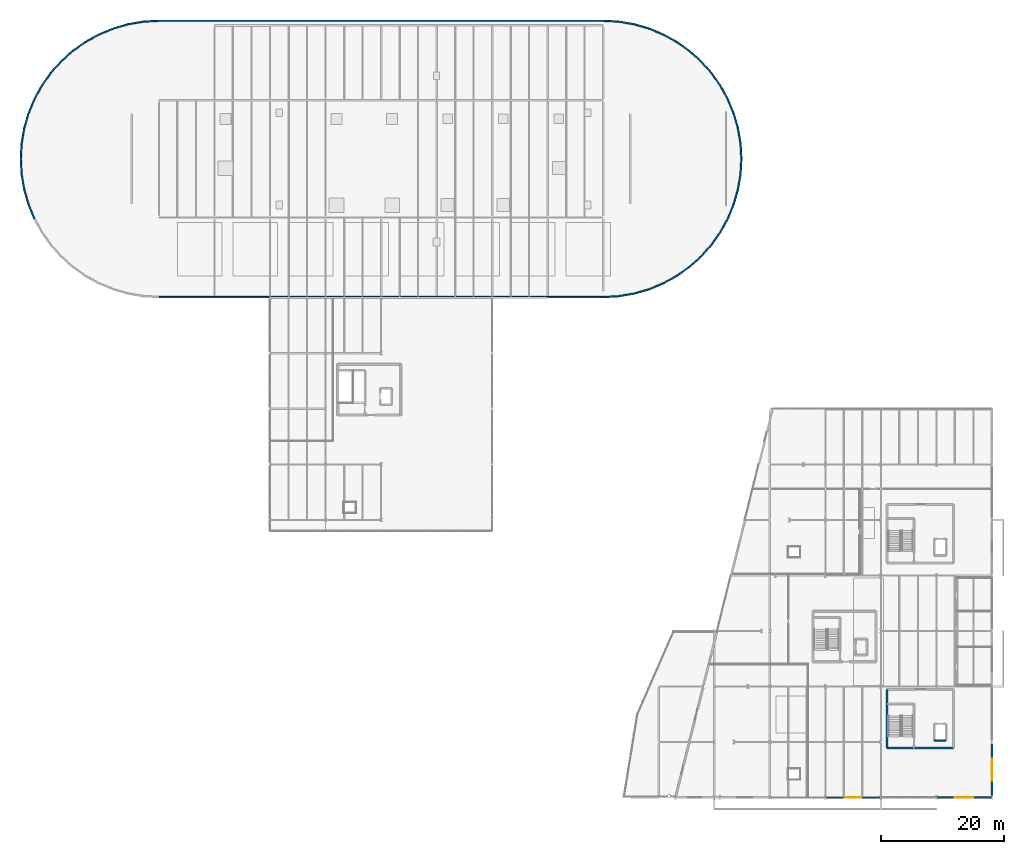
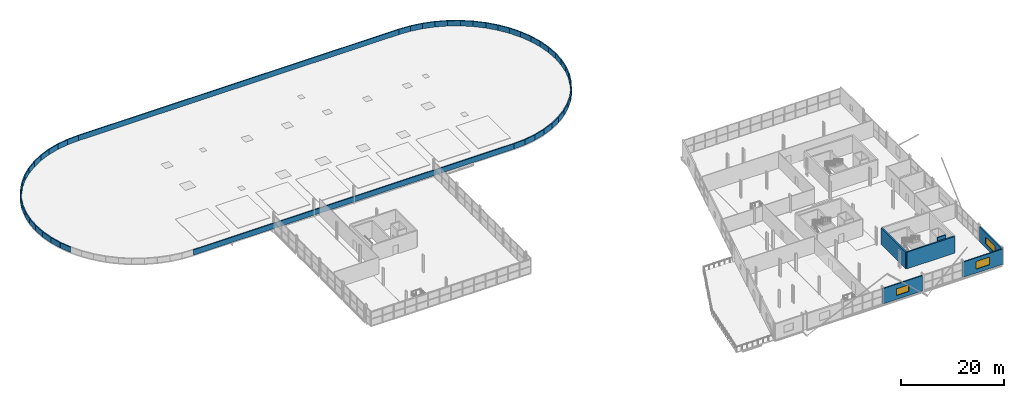
# One storey, part 55 of 59: 54 walls, 3 windows, 3 openings.
"""IFC4 building model written with IfcOpenShell, lengths in metres."""

from ifc_helpers import new_model, si_unit, direction, frame, frame_2d, origin, place, context, subcontext, project, spatial, rectangle, extrude, material, layer, layer_set, type_object, element, fill, save


model = new_model("IFC4")

# Units and contexts
model_context = context("Model", 3, precision=1e-05, world=origin(), true_north=direction((0.0, 1.0)))
body_context = subcontext(model_context, "Body", "Model", "MODEL_VIEW")
ifc_project = project(units=[si_unit("LENGTHUNIT", "METRE"), si_unit("AREAUNIT", "SQUARE_METRE"), si_unit("VOLUMEUNIT", "CUBIC_METRE"), si_unit("PLANEANGLEUNIT", "RADIAN"), si_unit("MASSUNIT", "GRAM", prefix="KILO")], contexts=[model_context])

# Site, building, storey
site_placement = place(None, origin())
site = spatial("IfcSite", under=ifc_project, at=site_placement, CompositionType="ELEMENT")
building_placement = place(site_placement, origin())
building = spatial("IfcBuilding", under=site, at=building_placement, Name="Deido Ridge Mobility Hub", CompositionType="ELEMENT")
storey_placement = place(building_placement, frame((0.0, 0.0, 21.0)))
storey = spatial("IfcBuildingStorey", under=building, at=storey_placement, Name="L05", CompositionType="ELEMENT", Elevation=21.0)

# Wall, opening, window
ifc_material_1 = material(Name="Powder-coated aluminium cladding EN AW-3003", Category="aluminium")
ifc_layer_1 = layer(ifc_material_1, 0.22509765625, Name="Powder-coated aluminium cladding EN AW-3003")
ifc_layer_set_1 = layer_set([ifc_layer_1], Name="Powder-coated aluminium cladding EN AW-3003")
wall_type_1 = type_object("IfcWallType", Name="WL-EXT-ALU-225", PredefinedType="STANDARD", material=ifc_layer_set_1)
wall_1_placement = place(storey_placement, frame((171.0078125, 0.0, 0.0), z_axis=(0.0, 0.0, 1.0), x_axis=(1.0, 0.0, 0.0)))
wall_1 = element("IfcWall", 1, at=wall_1_placement, inside=storey, type_object=wall_type_1, Name="Exterior wall EW6", PredefinedType="STANDARD", context=body_context, shape_type="SweptSolid", body=[
    extrude(rectangle(XDim=8.984375, YDim=0.22509765625, at=frame_2d((4.4921875, 0.0))), origin(), (0.0, 0.0, 1.0), 3.635009765625),
])
opening_1_placement = place(wall_1_placement, frame((2.9921875, 0.0, 0.949951171875)))
opening_1 = element("IfcOpeningElement", 2, at=opening_1_placement, cuts=wall_1, Name="Opening W15", PredefinedType="OPENING", context=body_context, shape_type="SweptSolid", body=[
    extrude(rectangle(XDim=3.0, YDim=1.800048828125, at=frame_2d((1.5, 0.89990234375))), frame((0.0, 0.12255859375, 0.0), z_axis=(0.0, -1.0, 0.0), x_axis=(1.0, 0.0, 0.0)), (0.0, 0.0, 1.0), 0.2451171875),
])
ifc_material_2 = material(Name="Laminated solar-control low-E glass", Category="glass")
window_type_1 = type_object("IfcWindowType", Name="WN-ALU-3000X1800", PartitioningType="DOUBLE_PANEL_VERTICAL", PredefinedType="WINDOW", material=ifc_material_2)
window_1_placement = place(opening_1_placement, origin())
window_1 = element("IfcWindow", 3, at=window_1_placement, inside=storey, type_object=window_type_1, Name="Exterior window W15", OverallHeight=1.800048828125, OverallWidth=3.0, PartitioningType="SINGLE_PANEL", PredefinedType="WINDOW", context=body_context, shape_type="SweptSolid", body=[
    extrude(rectangle(XDim=3.0, YDim=1.800048828125, at=frame_2d((1.5, 0.89990234375))), frame((0.0, 0.030029296875, 0.0), z_axis=(0.0, -1.0, 0.0), x_axis=(1.0, 0.0, 0.0)), (0.0, 0.0, 1.0), 0.06005859375),
])
fill(opening_1, window_1)

ifc_material_3 = material(Name="Concrete blockwork masonry", Category="masonry")
ifc_layer_2 = layer(ifc_material_3, 0.264892578125, Name="Concrete blockwork masonry")
ifc_layer_set_2 = layer_set([ifc_layer_2], Name="Concrete blockwork masonry")
wall_type_2 = type_object("IfcWallType", Name="WL-EXT-BLK-265", PredefinedType="STANDARD", material=ifc_layer_set_2)
wall_2_placement = place(storey_placement, frame((153.0078125, 0.0, 0.0), z_axis=(0.0, 0.0, 1.0), x_axis=(1.0, 0.0, 0.0)))
wall_2 = element("IfcWall", 4, at=wall_2_placement, inside=storey, type_object=wall_type_2, Name="Exterior wall EW3", PredefinedType="STANDARD", context=body_context, shape_type="SweptSolid", body=[
    extrude(rectangle(XDim=8.984375, YDim=0.264892578125, at=frame_2d((4.4921875, 0.0))), origin(), (0.0, 0.0, 1.0), 3.635009765625),
])
opening_2_placement = place(wall_2_placement, frame((3.142333984375, 0.0, 0.949951171875)))
opening_2 = element("IfcOpeningElement", 5, at=opening_2_placement, cuts=wall_2, Name="Opening W13", PredefinedType="OPENING", context=body_context, shape_type="SweptSolid", body=[
    extrude(rectangle(XDim=2.699951171875, YDim=1.60009765625, at=frame_2d((1.35009765625, 0.800048828125))), frame((0.0, 0.142578125, 0.0), z_axis=(0.0, -1.0, 0.0), x_axis=(1.0, 0.0, 0.0)), (0.0, 0.0, 1.0), 0.284912109375),
])
window_type_2 = type_object("IfcWindowType", Name="WN-ALU-2700X1600", PartitioningType="DOUBLE_PANEL_VERTICAL", PredefinedType="WINDOW", material=ifc_material_2)
window_2_placement = place(opening_2_placement, origin())
window_2 = element("IfcWindow", 6, at=window_2_placement, inside=storey, type_object=window_type_2, Name="Exterior window W13", OverallHeight=1.60009765625, OverallWidth=2.699951171875, PartitioningType="SINGLE_PANEL", PredefinedType="WINDOW", context=body_context, shape_type="SweptSolid", body=[
    extrude(rectangle(XDim=2.699951171875, YDim=1.60009765625, at=frame_2d((1.35009765625, 0.800048828125))), frame((0.0, 0.030029296875, 0.0), z_axis=(0.0, -1.0, 0.0), x_axis=(1.0, 0.0, 0.0)), (0.0, 0.0, 1.0), 0.06005859375),
])
fill(opening_2, window_2)

ifc_material_4 = material(Name="Fired clay brick masonry", Category="masonry")
ifc_layer_3 = layer(ifc_material_4, 0.31005859375, Name="Fired clay brick masonry")
ifc_layer_set_3 = layer_set([ifc_layer_3], Name="Fired clay brick masonry")
wall_type_3 = type_object("IfcWallType", Name="WL-EXT-BRK-310", PredefinedType="STANDARD", material=ifc_layer_set_3)
wall_3_placement = place(storey_placement, frame((180.0, 0.300048828125, 0.0), z_axis=(0.0, 0.0, 1.0), x_axis=(0.0, 1.0, 0.0)))
wall_3 = element("IfcWall", 7, at=wall_3_placement, inside=storey, type_object=wall_type_3, Name="Exterior wall EW1", PredefinedType="STANDARD", context=body_context, shape_type="SweptSolid", body=[
    extrude(rectangle(XDim=8.39990234375, YDim=0.31005859375, at=frame_2d((4.199951171875, 0.0))), origin(), (0.0, 0.0, 1.0), 3.635009765625),
])
opening_3_placement = place(wall_3_placement, frame((2.39990234375, 0.0, 0.949951171875)))
opening_3 = element("IfcOpeningElement", 8, at=opening_3_placement, cuts=wall_3, Name="Opening W18", PredefinedType="OPENING", context=body_context, shape_type="SweptSolid", body=[
    extrude(rectangle(XDim=3.60009765625, YDim=1.64990234375, at=frame_2d((1.800048828125, 0.824951171875))), frame((0.0, 0.1650390625, 0.0), z_axis=(0.0, -1.0, 0.0), x_axis=(1.0, 0.0, 0.0)), (0.0, 0.0, 1.0), 0.330078125),
])
window_type_3 = type_object("IfcWindowType", Name="WN-ALU-3600X1650", PartitioningType="DOUBLE_PANEL_VERTICAL", PredefinedType="WINDOW", material=ifc_material_2)
window_3_placement = place(opening_3_placement, origin())
window_3 = element("IfcWindow", 9, at=window_3_placement, inside=storey, type_object=window_type_3, Name="Exterior window W18", OverallHeight=1.64990234375, OverallWidth=3.60009765625, PartitioningType="SINGLE_PANEL", PredefinedType="WINDOW", context=body_context, shape_type="SweptSolid", body=[
    extrude(rectangle(XDim=3.60009765625, YDim=1.64990234375, at=frame_2d((1.800048828125, 0.824951171875))), frame((0.0, 0.030029296875, 0.0), z_axis=(0.0, -1.0, 0.0), x_axis=(1.0, 0.0, 0.0)), (0.0, 0.0, 1.0), 0.06005859375),
])
fill(opening_3, window_3)

# Walls
ifc_layer_4 = layer(ifc_material_4, 0.235107421875, Name="Fired clay brick masonry")
ifc_layer_set_4 = layer_set([ifc_layer_4], Name="Fired clay brick masonry")
wall_type_4 = type_object("IfcWallType", Name="WL-PAR-BRK-235", PredefinedType="PARAPET", material=ifc_layer_set_4)
wall_4_placement = place(storey_placement, frame((117.0, 81.1025390625, 0.2451171875), z_axis=(0.0, 0.0, 1.0), x_axis=(0.998426070254, 0.056083707412, 0.0)))
element("IfcWall", 10, at=wall_4_placement, inside=storey, type_object=wall_type_4, Name="Curved brickwork roof parapet PP1", PredefinedType="PARAPET", context=body_context, shape_type="SweptSolid", body=[
    extrude(rectangle(XDim=2.51171875, YDim=0.235107421875, at=frame_2d((1.255859375, 0.0))), origin(), (0.0, 0.0, 1.0), 1.25),
])
wall_5_placement = place(storey_placement, frame((119.5078125, 81.243408203125, 0.2451171875), z_axis=(0.0, 0.0, 1.0), x_axis=(0.985874150371, 0.167487789498, 0.0)))
element("IfcWall", 11, at=wall_5_placement, inside=storey, type_object=wall_type_4, Name="Curved brickwork roof parapet PP1", PredefinedType="PARAPET", context=body_context, shape_type="SweptSolid", body=[
    extrude(rectangle(XDim=2.511474609375, YDim=0.235107421875, at=frame_2d((1.255859375, 0.0))), origin(), (0.0, 0.0, 1.0), 1.25),
])
for number, where, z_axis, x_axis, name in (
    (12, (121.98388671875, 81.6640625, 0.2451171875), (0.0, 0.0, 1.0), (0.960920102427, 0.276825859975, 0.0), "Curved brickwork roof parapet PP1"),
    (13, (124.3974609375, 82.359375, 0.2451171875), (0.0, 0.0, 1.0), (0.923882965921, 0.382675143275, 0.0), "Curved brickwork roof parapet PP1"),
):
    element("IfcWall", number, at=place(storey_placement, frame(where, z_axis=z_axis, x_axis=x_axis)), inside=storey, type_object=wall_type_4, Name=name, PredefinedType="PARAPET", context=body_context, shape_type="SweptSolid", body=[
        extrude(rectangle(XDim=2.51171875, YDim=0.235107421875, at=frame_2d((1.255859375, 0.0))), origin(), (0.0, 0.0, 1.0), 1.25),
    ])
wall_6_placement = place(storey_placement, frame((126.718017578125, 83.320556640625, 0.2451171875), z_axis=(0.0, 0.0, 1.0), x_axis=(0.875237203706, 0.483693949982, 0.0)))
element("IfcWall", 14, at=wall_6_placement, inside=storey, type_object=wall_type_4, Name="Curved brickwork roof parapet PP1", PredefinedType="PARAPET", context=body_context, shape_type="SweptSolid", body=[
    extrude(rectangle(XDim=2.511474609375, YDim=0.235107421875, at=frame_2d((1.255859375, 0.0))), origin(), (0.0, 0.0, 1.0), 1.25),
])
for number, where, z_axis, x_axis, name in (
    (15, (128.916259765625, 84.535400390625, 0.2451171875), (0.0, 0.0, 1.0), (0.815516023896, 0.578734494193, 0.0), "Curved brickwork roof parapet PP1"),
    (16, (130.964599609375, 85.989013671875, 0.2451171875), (0.0, 0.0, 1.0), (0.74565301787, 0.666334433255, 0.0), "Curved brickwork roof parapet PP1"),
    (17, (132.83740234375, 87.66259765625, 0.2451171875), (0.0, 0.0, 1.0), (0.666334433255, 0.74565301787, 0.0), "Curved brickwork roof parapet PP1"),
    (18, (134.510986328125, 89.535400390625, 0.2451171875), (0.0, 0.0, 1.0), (0.578734494193, 0.815516023896, 0.0), "Curved brickwork roof parapet PP1"),
):
    element("IfcWall", number, at=place(storey_placement, frame(where, z_axis=z_axis, x_axis=x_axis)), inside=storey, type_object=wall_type_4, Name=name, PredefinedType="PARAPET", context=body_context, shape_type="SweptSolid", body=[
        extrude(rectangle(XDim=2.51171875, YDim=0.235107421875, at=frame_2d((1.255859375, 0.0))), origin(), (0.0, 0.0, 1.0), 1.25),
    ])
wall_7_placement = place(storey_placement, frame((135.964599609375, 91.583740234375, 0.2451171875), z_axis=(0.0, 0.0, 1.0), x_axis=(0.483693949982, 0.875237203706, 0.0)))
element("IfcWall", 19, at=wall_7_placement, inside=storey, type_object=wall_type_4, Name="Curved brickwork roof parapet PP1", PredefinedType="PARAPET", context=body_context, shape_type="SweptSolid", body=[
    extrude(rectangle(XDim=2.511474609375, YDim=0.235107421875, at=frame_2d((1.255859375, 0.0))), origin(), (0.0, 0.0, 1.0), 1.25),
])
for number, where, z_axis, x_axis, name in (
    (20, (137.179443359375, 93.781982421875, 0.2451171875), (0.0, 0.0, 1.0), (0.382675143275, 0.923882965921, 0.0), "Curved brickwork roof parapet PP1"),
    (21, (138.140625, 96.1025390625, 0.2451171875), (0.0, 0.0, 1.0), (0.276825859975, 0.960920102427, 0.0), "Curved brickwork roof parapet PP1"),
):
    element("IfcWall", number, at=place(storey_placement, frame(where, z_axis=z_axis, x_axis=x_axis)), inside=storey, type_object=wall_type_4, Name=name, PredefinedType="PARAPET", context=body_context, shape_type="SweptSolid", body=[
        extrude(rectangle(XDim=2.51171875, YDim=0.235107421875, at=frame_2d((1.255859375, 0.0))), origin(), (0.0, 0.0, 1.0), 1.25),
    ])
wall_8_placement = place(storey_placement, frame((138.8359375, 98.51611328125, 0.2451171875), z_axis=(0.0, 0.0, 1.0), x_axis=(0.167487789498, 0.985874150371, 0.0)))
element("IfcWall", 22, at=wall_8_placement, inside=storey, type_object=wall_type_4, Name="Curved brickwork roof parapet PP1", PredefinedType="PARAPET", context=body_context, shape_type="SweptSolid", body=[
    extrude(rectangle(XDim=2.511474609375, YDim=0.235107421875, at=frame_2d((1.255859375, 0.0))), origin(), (0.0, 0.0, 1.0), 1.25),
])
for number, where, z_axis, x_axis, name in (
    (23, (139.256591796875, 100.9921875, 0.2451171875), (0.0, 0.0, 1.0), (0.056083707412, 0.998426070254, 0.0), "Curved brickwork roof parapet PP1"),
    (24, (139.3974609375, 103.5, 0.2451171875), (0.0, 0.0, 1.0), (-0.056083707412, 0.998426070254, 0.0), "Curved brickwork roof parapet PP1"),
):
    element("IfcWall", number, at=place(storey_placement, frame(where, z_axis=z_axis, x_axis=x_axis)), inside=storey, type_object=wall_type_4, Name=name, PredefinedType="PARAPET", context=body_context, shape_type="SweptSolid", body=[
        extrude(rectangle(XDim=2.51171875, YDim=0.235107421875, at=frame_2d((1.255859375, 0.0))), origin(), (0.0, 0.0, 1.0), 1.25),
    ])
wall_9_placement = place(storey_placement, frame((139.256591796875, 106.0078125, 0.2451171875), z_axis=(0.0, 0.0, 1.0), x_axis=(-0.167487789498, 0.985874150371, 0.0)))
element("IfcWall", 25, at=wall_9_placement, inside=storey, type_object=wall_type_4, Name="Curved brickwork roof parapet PP1", PredefinedType="PARAPET", context=body_context, shape_type="SweptSolid", body=[
    extrude(rectangle(XDim=2.511474609375, YDim=0.235107421875, at=frame_2d((1.255859375, 0.0))), origin(), (0.0, 0.0, 1.0), 1.25),
])
for number, where, z_axis, x_axis, name in (
    (26, (138.8359375, 108.48388671875, 0.2451171875), (0.0, 0.0, 1.0), (-0.276825859975, 0.960920102427, 0.0), "Curved brickwork roof parapet PP1"),
    (27, (138.140625, 110.8974609375, 0.2451171875), (0.0, 0.0, 1.0), (-0.382675143275, 0.923882965921, 0.0), "Curved brickwork roof parapet PP1"),
):
    element("IfcWall", number, at=place(storey_placement, frame(where, z_axis=z_axis, x_axis=x_axis)), inside=storey, type_object=wall_type_4, Name=name, PredefinedType="PARAPET", context=body_context, shape_type="SweptSolid", body=[
        extrude(rectangle(XDim=2.51171875, YDim=0.235107421875, at=frame_2d((1.255859375, 0.0))), origin(), (0.0, 0.0, 1.0), 1.25),
    ])
wall_10_placement = place(storey_placement, frame((137.179443359375, 113.218017578125, 0.2451171875), z_axis=(0.0, 0.0, 1.0), x_axis=(-0.483693949982, 0.875237203706, 0.0)))
element("IfcWall", 28, at=wall_10_placement, inside=storey, type_object=wall_type_4, Name="Curved brickwork roof parapet PP1", PredefinedType="PARAPET", context=body_context, shape_type="SweptSolid", body=[
    extrude(rectangle(XDim=2.511474609375, YDim=0.235107421875, at=frame_2d((1.255859375, 0.0))), origin(), (0.0, 0.0, 1.0), 1.25),
])
for number, where, z_axis, x_axis, name in (
    (29, (135.964599609375, 115.416259765625, 0.2451171875), (0.0, 0.0, 1.0), (-0.578734494193, 0.815516023896, 0.0), "Curved brickwork roof parapet PP1"),
    (30, (134.510986328125, 117.464599609375, 0.2451171875), (0.0, 0.0, 1.0), (-0.666334433255, 0.74565301787, 0.0), "Curved brickwork roof parapet PP1"),
    (31, (132.83740234375, 119.33740234375, 0.2451171875), (0.0, 0.0, 1.0), (-0.74565301787, 0.666334433255, 0.0), "Curved brickwork roof parapet PP1"),
    (32, (130.964599609375, 121.010986328125, 0.2451171875), (0.0, 0.0, 1.0), (-0.815516023896, 0.578734494193, 0.0), "Curved brickwork roof parapet PP1"),
):
    element("IfcWall", number, at=place(storey_placement, frame(where, z_axis=z_axis, x_axis=x_axis)), inside=storey, type_object=wall_type_4, Name=name, PredefinedType="PARAPET", context=body_context, shape_type="SweptSolid", body=[
        extrude(rectangle(XDim=2.51171875, YDim=0.235107421875, at=frame_2d((1.255859375, 0.0))), origin(), (0.0, 0.0, 1.0), 1.25),
    ])
wall_11_placement = place(storey_placement, frame((128.916259765625, 122.464599609375, 0.2451171875), z_axis=(0.0, 0.0, 1.0), x_axis=(-0.875237203706, 0.483693949982, 0.0)))
element("IfcWall", 33, at=wall_11_placement, inside=storey, type_object=wall_type_4, Name="Curved brickwork roof parapet PP1", PredefinedType="PARAPET", context=body_context, shape_type="SweptSolid", body=[
    extrude(rectangle(XDim=2.511474609375, YDim=0.235107421875, at=frame_2d((1.255859375, 0.0))), origin(), (0.0, 0.0, 1.0), 1.25),
])
for number, where, z_axis, x_axis, name in (
    (34, (126.718017578125, 123.679443359375, 0.2451171875), (0.0, 0.0, 1.0), (-0.923882965921, 0.382675143275, 0.0), "Curved brickwork roof parapet PP1"),
    (35, (124.3974609375, 124.640625, 0.2451171875), (0.0, 0.0, 1.0), (-0.960920102427, 0.276825859975, 0.0), "Curved brickwork roof parapet PP1"),
):
    element("IfcWall", number, at=place(storey_placement, frame(where, z_axis=z_axis, x_axis=x_axis)), inside=storey, type_object=wall_type_4, Name=name, PredefinedType="PARAPET", context=body_context, shape_type="SweptSolid", body=[
        extrude(rectangle(XDim=2.51171875, YDim=0.235107421875, at=frame_2d((1.255859375, 0.0))), origin(), (0.0, 0.0, 1.0), 1.25),
    ])
wall_12_placement = place(storey_placement, frame((121.98388671875, 125.3359375, 0.2451171875), z_axis=(0.0, 0.0, 1.0), x_axis=(-0.985874150371, 0.167487789498, 0.0)))
element("IfcWall", 36, at=wall_12_placement, inside=storey, type_object=wall_type_4, Name="Curved brickwork roof parapet PP1", PredefinedType="PARAPET", context=body_context, shape_type="SweptSolid", body=[
    extrude(rectangle(XDim=2.511474609375, YDim=0.235107421875, at=frame_2d((1.255859375, 0.0))), origin(), (0.0, 0.0, 1.0), 1.25),
])
wall_13_placement = place(storey_placement, frame((119.5078125, 125.756591796875, 0.2451171875), z_axis=(0.0, 0.0, 1.0), x_axis=(-0.998426070254, 0.056083707412, 0.0)))
element("IfcWall", 37, at=wall_13_placement, inside=storey, type_object=wall_type_4, Name="Curved brickwork roof parapet PP1", PredefinedType="PARAPET", context=body_context, shape_type="SweptSolid", body=[
    extrude(rectangle(XDim=2.51171875, YDim=0.235107421875, at=frame_2d((1.255859375, 0.0))), origin(), (0.0, 0.0, 1.0), 1.25),
])
wall_14_placement = place(storey_placement, frame((117.0, 125.8974609375, 0.2451171875), z_axis=(0.0, 0.0, 1.0), x_axis=(-1.0, 0.0, 0.0)))
element("IfcWall", 38, at=wall_14_placement, inside=storey, type_object=wall_type_4, Name="Curved brickwork roof parapet PP1", PredefinedType="PARAPET", context=body_context, shape_type="SweptSolid", body=[
    extrude(rectangle(XDim=72.0, YDim=0.235107421875, at=frame_2d((36.0, 0.0))), origin(), (0.0, 0.0, 1.0), 1.25),
])
wall_15_placement = place(storey_placement, frame((45.0, 125.8974609375, 0.2451171875), z_axis=(0.0, 0.0, 1.0), x_axis=(-0.998426070254, -0.056083707412, 0.0)))
element("IfcWall", 39, at=wall_15_placement, inside=storey, type_object=wall_type_4, Name="Curved brickwork roof parapet PP1", PredefinedType="PARAPET", context=body_context, shape_type="SweptSolid", body=[
    extrude(rectangle(XDim=2.51171875, YDim=0.235107421875, at=frame_2d((1.255859375, 0.0))), origin(), (0.0, 0.0, 1.0), 1.25),
])
wall_16_placement = place(storey_placement, frame((42.4921875, 125.756591796875, 0.2451171875), z_axis=(0.0, 0.0, 1.0), x_axis=(-0.985874150371, -0.167487789498, 0.0)))
element("IfcWall", 40, at=wall_16_placement, inside=storey, type_object=wall_type_4, Name="Curved brickwork roof parapet PP1", PredefinedType="PARAPET", context=body_context, shape_type="SweptSolid", body=[
    extrude(rectangle(XDim=2.511474609375, YDim=0.235107421875, at=frame_2d((1.255859375, 0.0))), origin(), (0.0, 0.0, 1.0), 1.25),
])
for number, where, z_axis, x_axis, name in (
    (41, (40.01611328125, 125.3359375, 0.2451171875), (0.0, 0.0, 1.0), (-0.960920102427, -0.276825859975, 0.0), "Curved brickwork roof parapet PP1"),
    (42, (37.6025390625, 124.640625, 0.2451171875), (0.0, 0.0, 1.0), (-0.923882965921, -0.382675143275, 0.0), "Curved brickwork roof parapet PP1"),
):
    element("IfcWall", number, at=place(storey_placement, frame(where, z_axis=z_axis, x_axis=x_axis)), inside=storey, type_object=wall_type_4, Name=name, PredefinedType="PARAPET", context=body_context, shape_type="SweptSolid", body=[
        extrude(rectangle(XDim=2.51171875, YDim=0.235107421875, at=frame_2d((1.255859375, 0.0))), origin(), (0.0, 0.0, 1.0), 1.25),
    ])
wall_17_placement = place(storey_placement, frame((35.281982421875, 123.679443359375, 0.2451171875), z_axis=(0.0, 0.0, 1.0), x_axis=(-0.875237203706, -0.483693949982, 0.0)))
element("IfcWall", 43, at=wall_17_placement, inside=storey, type_object=wall_type_4, Name="Curved brickwork roof parapet PP1", PredefinedType="PARAPET", context=body_context, shape_type="SweptSolid", body=[
    extrude(rectangle(XDim=2.511474609375, YDim=0.235107421875, at=frame_2d((1.255859375, 0.0))), origin(), (0.0, 0.0, 1.0), 1.25),
])
for number, where, z_axis, x_axis, name in (
    (44, (33.083740234375, 122.464599609375, 0.2451171875), (0.0, 0.0, 1.0), (-0.815516023896, -0.578734494193, 0.0), "Curved brickwork roof parapet PP1"),
    (45, (31.035400390625, 121.010986328125, 0.2451171875), (0.0, 0.0, 1.0), (-0.74565301787, -0.666334433255, 0.0), "Curved brickwork roof parapet PP1"),
    (46, (29.16259765625, 119.33740234375, 0.2451171875), (0.0, 0.0, 1.0), (-0.666334433255, -0.74565301787, 0.0), "Curved brickwork roof parapet PP1"),
    (47, (27.489013671875, 117.464599609375, 0.2451171875), (0.0, 0.0, 1.0), (-0.578734494193, -0.815516023896, 0.0), "Curved brickwork roof parapet PP1"),
):
    element("IfcWall", number, at=place(storey_placement, frame(where, z_axis=z_axis, x_axis=x_axis)), inside=storey, type_object=wall_type_4, Name=name, PredefinedType="PARAPET", context=body_context, shape_type="SweptSolid", body=[
        extrude(rectangle(XDim=2.51171875, YDim=0.235107421875, at=frame_2d((1.255859375, 0.0))), origin(), (0.0, 0.0, 1.0), 1.25),
    ])
wall_18_placement = place(storey_placement, frame((26.035400390625, 115.416259765625, 0.2451171875), z_axis=(0.0, 0.0, 1.0), x_axis=(-0.483693949982, -0.875237203706, 0.0)))
element("IfcWall", 48, at=wall_18_placement, inside=storey, type_object=wall_type_4, Name="Curved brickwork roof parapet PP1", PredefinedType="PARAPET", context=body_context, shape_type="SweptSolid", body=[
    extrude(rectangle(XDim=2.511474609375, YDim=0.235107421875, at=frame_2d((1.255859375, 0.0))), origin(), (0.0, 0.0, 1.0), 1.25),
])
for number, where, z_axis, x_axis, name in (
    (49, (24.820556640625, 113.218017578125, 0.2451171875), (0.0, 0.0, 1.0), (-0.382675143275, -0.923882965921, 0.0), "Curved brickwork roof parapet PP1"),
    (50, (23.859375, 110.8974609375, 0.2451171875), (0.0, 0.0, 1.0), (-0.276825859975, -0.960920102427, 0.0), "Curved brickwork roof parapet PP1"),
):
    element("IfcWall", number, at=place(storey_placement, frame(where, z_axis=z_axis, x_axis=x_axis)), inside=storey, type_object=wall_type_4, Name=name, PredefinedType="PARAPET", context=body_context, shape_type="SweptSolid", body=[
        extrude(rectangle(XDim=2.51171875, YDim=0.235107421875, at=frame_2d((1.255859375, 0.0))), origin(), (0.0, 0.0, 1.0), 1.25),
    ])
wall_19_placement = place(storey_placement, frame((23.1640625, 108.48388671875, 0.2451171875), z_axis=(0.0, 0.0, 1.0), x_axis=(-0.167487789498, -0.985874150371, 0.0)))
element("IfcWall", 51, at=wall_19_placement, inside=storey, type_object=wall_type_4, Name="Curved brickwork roof parapet PP1", PredefinedType="PARAPET", context=body_context, shape_type="SweptSolid", body=[
    extrude(rectangle(XDim=2.511474609375, YDim=0.235107421875, at=frame_2d((1.255859375, 0.0))), origin(), (0.0, 0.0, 1.0), 1.25),
])
for number, where, z_axis, x_axis, name in (
    (52, (22.743408203125, 106.0078125, 0.2451171875), (0.0, 0.0, 1.0), (-0.056083707412, -0.998426070254, 0.0), "Curved brickwork roof parapet PP1"),
    (53, (22.6025390625, 103.5, 0.2451171875), (0.0, 0.0, 1.0), (0.056083707412, -0.998426070254, 0.0), "Curved brickwork roof parapet PP1"),
):
    element("IfcWall", number, at=place(storey_placement, frame(where, z_axis=z_axis, x_axis=x_axis)), inside=storey, type_object=wall_type_4, Name=name, PredefinedType="PARAPET", context=body_context, shape_type="SweptSolid", body=[
        extrude(rectangle(XDim=2.51171875, YDim=0.235107421875, at=frame_2d((1.255859375, 0.0))), origin(), (0.0, 0.0, 1.0), 1.25),
    ])
wall_20_placement = place(storey_placement, frame((22.743408203125, 100.9921875, 0.2451171875), z_axis=(0.0, 0.0, 1.0), x_axis=(0.167487789498, -0.985874150371, 0.0)))
element("IfcWall", 54, at=wall_20_placement, inside=storey, type_object=wall_type_4, Name="Curved brickwork roof parapet PP1", PredefinedType="PARAPET", context=body_context, shape_type="SweptSolid", body=[
    extrude(rectangle(XDim=2.511474609375, YDim=0.235107421875, at=frame_2d((1.255859375, 0.0))), origin(), (0.0, 0.0, 1.0), 1.25),
])
for number, where, z_axis, x_axis, name in (
    (55, (23.1640625, 98.51611328125, 0.2451171875), (0.0, 0.0, 1.0), (0.276825859975, -0.960920102427, 0.0), "Curved brickwork roof parapet PP1"),
    (56, (23.859375, 96.1025390625, 0.2451171875), (0.0, 0.0, 1.0), (0.382675143275, -0.923882965921, 0.0), "Curved brickwork roof parapet PP1"),
):
    element("IfcWall", number, at=place(storey_placement, frame(where, z_axis=z_axis, x_axis=x_axis)), inside=storey, type_object=wall_type_4, Name=name, PredefinedType="PARAPET", context=body_context, shape_type="SweptSolid", body=[
        extrude(rectangle(XDim=2.51171875, YDim=0.235107421875, at=frame_2d((1.255859375, 0.0))), origin(), (0.0, 0.0, 1.0), 1.25),
    ])
wall_21_placement = place(storey_placement, frame((45.0, 81.1025390625, 0.2451171875), z_axis=(0.0, 0.0, 1.0), x_axis=(1.0, 0.0, 0.0)))
element("IfcWall", 57, at=wall_21_placement, inside=storey, type_object=wall_type_4, Name="Curved brickwork roof parapet PP1", PredefinedType="PARAPET", context=body_context, shape_type="SweptSolid", body=[
    extrude(rectangle(XDim=72.0, YDim=0.235107421875, at=frame_2d((36.0, 0.0))), origin(), (0.0, 0.0, 1.0), 1.25),
])
ifc_material_5 = material(Name="Concrete C40/50", Category="concrete")
ifc_layer_5 = layer(ifc_material_5, 0.25, Name="Concrete C40/50")
ifc_layer_set_5 = layer_set([ifc_layer_5], Name="Concrete C40/50")
wall_type_5 = type_object("IfcWallType", Name="WL-SHR-RC-250", PredefinedType="SHEAR", material=ifc_layer_set_5)
wall_22_placement = place(storey_placement, frame((170.675048828125, 9.27490234375, 0.0), z_axis=(0.0, 0.0, 1.0), x_axis=(1.0, 0.0, 0.0)))
element("IfcWall", 58, at=wall_22_placement, inside=storey, type_object=wall_type_5, Name="Lift FL1 rear shaft wall", PredefinedType="SHEAR", context=body_context, shape_type="SweptSolid", body=[
    extrude(rectangle(XDim=1.849853515625, YDim=0.25, at=frame_2d((0.9248046875, 0.0))), origin(), (0.0, 0.0, 1.0), 3.9599609375),
])
ifc_layer_6 = layer(ifc_material_5, 0.324951171875, Name="Concrete C40/50")
ifc_layer_set_6 = layer_set([ifc_layer_6], Name="Concrete C40/50")
wall_type_6 = type_object("IfcWallType", Name="WL-SHR-RC-325", PredefinedType="SHEAR", material=ifc_layer_set_6)
wall_23_placement = place(storey_placement, frame((163.0, 8.0, 0.0), z_axis=(0.0, 0.0, 1.0), x_axis=(1.0, 0.0, 0.0)))
element("IfcWall", 59, at=wall_23_placement, inside=storey, type_object=wall_type_6, Name="C1 south shear wall", PredefinedType="SHEAR", context=body_context, shape_type="SweptSolid", body=[
    extrude(rectangle(XDim=10.800048828125, YDim=0.324951171875, at=frame_2d((5.39990234375, 0.0))), origin(), (0.0, 0.0, 1.0), 3.9599609375),
])
wall_24_placement = place(storey_placement, frame((163.0, 17.5, 0.0), z_axis=(0.0, 0.0, 1.0), x_axis=(0.0, -1.0, 0.0)))
element("IfcWall", 60, at=wall_24_placement, inside=storey, type_object=wall_type_6, Name="C1 west shear wall", PredefinedType="SHEAR", context=body_context, shape_type="SweptSolid", body=[
    extrude(rectangle(XDim=9.5, YDim=0.324951171875, at=frame_2d((4.75, 0.0))), origin(), (0.0, 0.0, 1.0), 3.9599609375),
])

save(model, "model.ifc")
